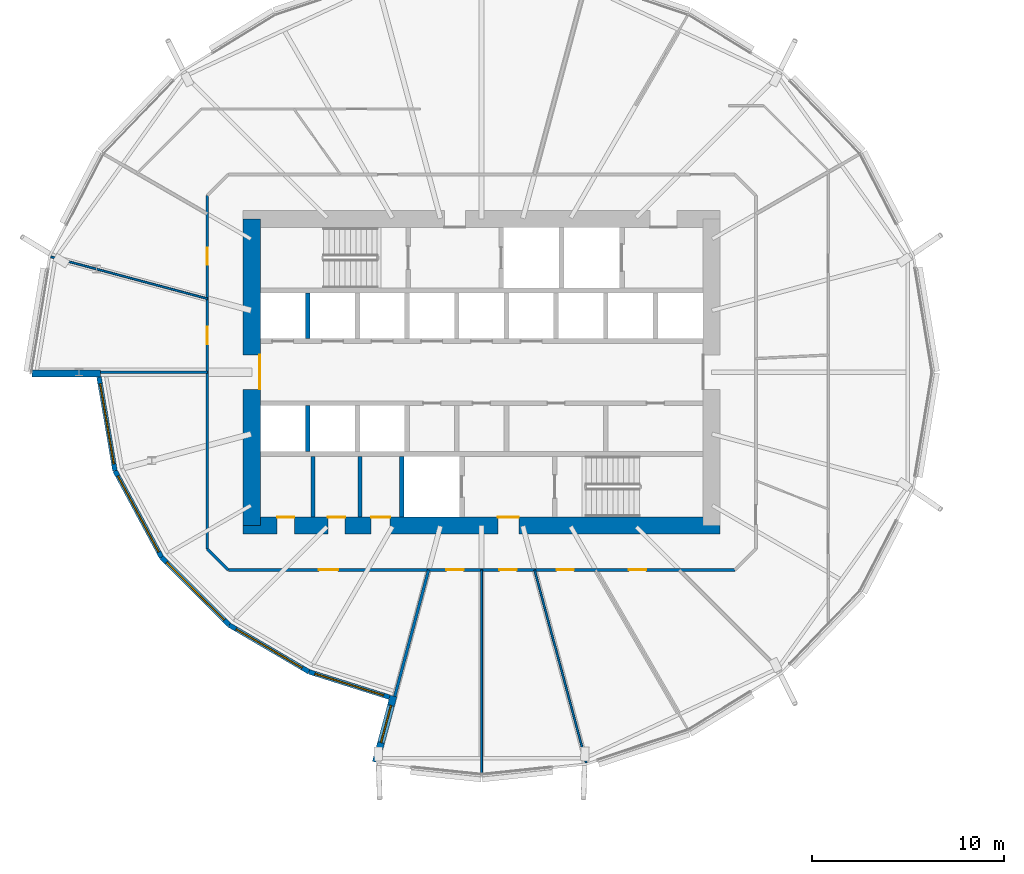
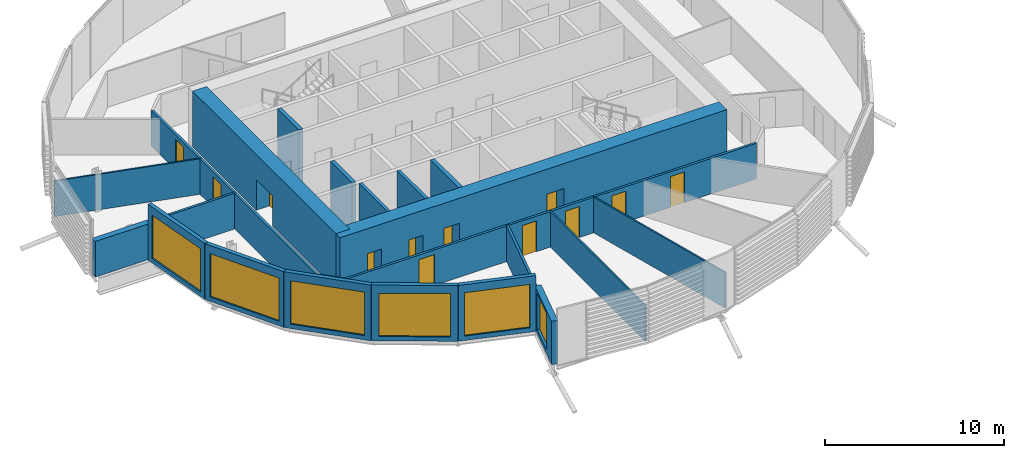
# One storey, part 20 of 38: 22 walls, 12 doors, 6 windows, 18 openings.
"""IFC4 building model written with IfcOpenShell, lengths in metres."""

from ifc_helpers import new_model, si_unit, direction, frame, frame_2d, origin, place, context, subcontext, project, spatial, rectangle, extrude, material, layer, layer_set, type_object, element, fill, save


model = new_model("IFC4")

# Units and contexts
model_context = context("Model", 3, precision=1e-05, world=origin(), true_north=direction((0.0, 1.0)))
body_context = subcontext(model_context, "Body", "Model", "MODEL_VIEW")
ifc_project = project(units=[si_unit("LENGTHUNIT", "METRE"), si_unit("AREAUNIT", "SQUARE_METRE"), si_unit("VOLUMEUNIT", "CUBIC_METRE"), si_unit("PLANEANGLEUNIT", "RADIAN"), si_unit("MASSUNIT", "GRAM", prefix="KILO")], contexts=[model_context])

# Site, building, storey
site_placement = place(None, origin())
site = spatial("IfcSite", under=ifc_project, at=site_placement, CompositionType="ELEMENT")
building_placement = place(site_placement, origin())
building = spatial("IfcBuilding", under=site, at=building_placement, Name="Rimbun Link Towers", CompositionType="ELEMENT")
storey_placement = place(building_placement, frame((0.0, 0.0, 68.0)))
storey = spatial("IfcBuildingStorey", under=building, at=storey_placement, Name="L16", CompositionType="ELEMENT", Elevation=68.0)

# Wall, opening, window
ifc_material_1 = material(Name="Dark enamelled glass spandrel on insulated aluminium backpan", Category="aluminium")
ifc_layer_1 = layer(ifc_material_1, 0.25)
ifc_layer_set_1 = layer_set([ifc_layer_1], Name="CS dark enamelled spandrel wall 250")
wall_type_1 = type_object("IfcWallType", Name="CS dark enamelled spandrel wall 250", PredefinedType="STANDARD", material=ifc_layer_set_1)
wall_1_placement = place(storey_placement, frame((-50.895263671875, -5.13916015625, 0.0), z_axis=(0.0, 0.0, 1.0), x_axis=(-0.168005969371, 0.985785977916, 0.0)))
wall_1 = element("IfcWall", 1, at=wall_1_placement, inside=storey, type_object=wall_type_1, Name="Crease spandrel wall", PredefinedType="STANDARD", context=body_context, shape_type="SweptSolid", body=[
    extrude(rectangle(XDim=4.959716796875, YDim=0.25, at=frame_2d((2.47998046875, 0.0))), origin(), (0.0, 0.0, 1.0), 3.800048828125),
])
opening_1_placement = place(wall_1_placement, frame((0.354736328125, 0.0, 0.300048828125)))
opening_1 = element("IfcOpeningElement", 2, at=opening_1_placement, cuts=wall_1, Name="Opening WR42H295", PredefinedType="OPENING", context=body_context, shape_type="SweptSolid", body=[
    extrude(rectangle(XDim=4.25, YDim=2.949951171875, at=frame_2d((2.125, 1.47509765625))), frame((0.0, 0.135009765625, 0.0), z_axis=(0.0, -1.0, 0.0), x_axis=(1.0, 0.0, 0.0)), (0.0, 0.0, 1.0), 0.27001953125),
])
ifc_material_2 = material(Name="Aluminium framed fixed window, dark tinted low-e glass", Category="aluminium")
window_type_1 = type_object("IfcWindowType", Name="WR ribbon window 4250X2950", PartitioningType="SINGLE_PANEL", PredefinedType="WINDOW", material=ifc_material_2)
window_1_placement = place(opening_1_placement, origin())
window_1 = element("IfcWindow", 3, at=window_1_placement, inside=storey, type_object=window_type_1, Name="Crease ribbon window", OverallHeight=2.949951171875, OverallWidth=4.25, PartitioningType="SINGLE_PANEL", PredefinedType="WINDOW", context=body_context, shape_type="SweptSolid", body=[
    extrude(rectangle(XDim=4.25, YDim=2.949951171875, at=frame_2d((2.125, 1.47509765625))), frame((0.0, 0.030029296875, 0.0), z_axis=(0.0, -1.0, 0.0), x_axis=(1.0, 0.0, 0.0)), (0.0, 0.0, 1.0), 0.06005859375),
])
fill(opening_1, window_1)

wall_2_placement = place(storey_placement, frame((-48.462646484375, -9.665771484375, 0.0), z_axis=(0.0, 0.0, 1.0), x_axis=(-0.47337722528, 0.880859808702, 0.0)))
wall_2 = element("IfcWall", 4, at=wall_2_placement, inside=storey, type_object=wall_type_1, Name="Crease spandrel wall", PredefinedType="STANDARD", context=body_context, shape_type="SweptSolid", body=[
    extrude(rectangle(XDim=5.138916015625, YDim=0.25, at=frame_2d((2.5693359375, 0.0))), origin(), (0.0, 0.0, 1.0), 3.800048828125),
])
opening_2_placement = place(wall_2_placement, frame((0.319580078125, 0.0, 0.300048828125)))
opening_2 = element("IfcOpeningElement", 5, at=opening_2_placement, cuts=wall_2, Name="Opening WR45H295", PredefinedType="OPENING", context=body_context, shape_type="SweptSolid", body=[
    extrude(rectangle(XDim=4.5, YDim=2.949951171875, at=frame_2d((2.25, 1.47509765625))), frame((0.0, 0.135009765625, 0.0), z_axis=(0.0, -1.0, 0.0), x_axis=(1.0, 0.0, 0.0)), (0.0, 0.0, 1.0), 0.27001953125),
])
ifc_material_3 = material(Name="Aluminium framed fixed window, dark tinted low-e glass", Category="aluminium")
window_type_2 = type_object("IfcWindowType", Name="WR ribbon window 4500X2950", PartitioningType="SINGLE_PANEL", PredefinedType="WINDOW", material=ifc_material_3)
window_2_placement = place(opening_2_placement, origin())
window_2 = element("IfcWindow", 6, at=window_2_placement, inside=storey, type_object=window_type_2, Name="Crease ribbon window", OverallHeight=2.949951171875, OverallWidth=4.5, PartitioningType="SINGLE_PANEL", PredefinedType="WINDOW", context=body_context, shape_type="SweptSolid", body=[
    extrude(rectangle(XDim=4.5, YDim=2.949951171875, at=frame_2d((2.25, 1.47509765625))), frame((0.0, 0.030029296875, 0.0), z_axis=(0.0, -1.0, 0.0), x_axis=(1.0, 0.0, 0.0)), (0.0, 0.0, 1.0), 0.06005859375),
])
fill(opening_2, window_2)

wall_3_placement = place(storey_placement, frame((-44.928955078125, -13.20166015625, 0.0), z_axis=(0.0, 0.0, 1.0), x_axis=(-0.706886974242, 0.707326519825, 0.0)))
wall_3 = element("IfcWall", 7, at=wall_3_placement, inside=storey, type_object=wall_type_1, Name="Crease spandrel wall", PredefinedType="STANDARD", context=body_context, shape_type="SweptSolid", body=[
    extrude(rectangle(XDim=4.9990234375, YDim=0.25, at=frame_2d((2.49951171875, 0.0))), origin(), (0.0, 0.0, 1.0), 3.800048828125),
])
opening_3_placement = place(wall_3_placement, frame((0.37451171875, 0.0, 0.300048828125)))
opening_3 = element("IfcOpeningElement", 8, at=opening_3_placement, cuts=wall_3, Name="Opening WR42H295", PredefinedType="OPENING", context=body_context, shape_type="SweptSolid", body=[
    extrude(rectangle(XDim=4.25, YDim=2.949951171875, at=frame_2d((2.125, 1.47509765625))), frame((0.0, 0.135009765625, 0.0), z_axis=(0.0, -1.0, 0.0), x_axis=(1.0, 0.0, 0.0)), (0.0, 0.0, 1.0), 0.27001953125),
])
window_3_placement = place(opening_3_placement, origin())
window_3 = element("IfcWindow", 9, at=window_3_placement, inside=storey, type_object=window_type_1, Name="Crease ribbon window", OverallHeight=2.949951171875, OverallWidth=4.25, PartitioningType="SINGLE_PANEL", PredefinedType="WINDOW", context=body_context, shape_type="SweptSolid", body=[
    extrude(rectangle(XDim=4.25, YDim=2.949951171875, at=frame_2d((2.125, 1.47509765625))), frame((0.0, 0.030029296875, 0.0), z_axis=(0.0, -1.0, 0.0), x_axis=(1.0, 0.0, 0.0)), (0.0, 0.0, 1.0), 0.06005859375),
])
fill(opening_3, window_3)

wall_4_placement = place(storey_placement, frame((-40.76611328125, -15.642822265625, 0.0), z_axis=(0.0, 0.0, 1.0), x_axis=(-0.862618805527, 0.505854520935, 0.0)))
wall_4 = element("IfcWall", 10, at=wall_4_placement, inside=storey, type_object=wall_type_1, Name="Crease spandrel wall", PredefinedType="STANDARD", context=body_context, shape_type="SweptSolid", body=[
    extrude(rectangle(XDim=4.825927734375, YDim=0.25, at=frame_2d((2.4130859375, 0.0))), origin(), (0.0, 0.0, 1.0), 3.800048828125),
])
opening_4_placement = place(wall_4_placement, frame((0.4130859375, 0.0, 0.300048828125)))
opening_4 = element("IfcOpeningElement", 11, at=opening_4_placement, cuts=wall_4, Name="Opening WR40H295", PredefinedType="OPENING", context=body_context, shape_type="SweptSolid", body=[
    extrude(rectangle(XDim=4.0, YDim=2.949951171875, at=frame_2d((2.0, 1.47509765625))), frame((0.0, 0.135009765625, 0.0), z_axis=(0.0, -1.0, 0.0), x_axis=(1.0, 0.0, 0.0)), (0.0, 0.0, 1.0), 0.27001953125),
])
ifc_material_4 = material(Name="Aluminium framed fixed window, dark tinted low-e glass", Category="aluminium")
window_type_3 = type_object("IfcWindowType", Name="WR ribbon window 4000X2950", PartitioningType="SINGLE_PANEL", PredefinedType="WINDOW", material=ifc_material_4)
window_4_placement = place(opening_4_placement, origin())
window_4 = element("IfcWindow", 12, at=window_4_placement, inside=storey, type_object=window_type_3, Name="Crease ribbon window", OverallHeight=2.949951171875, OverallWidth=4.0, PartitioningType="SINGLE_PANEL", PredefinedType="WINDOW", context=body_context, shape_type="SweptSolid", body=[
    extrude(rectangle(XDim=4.0, YDim=2.949951171875, at=frame_2d((2.0, 1.47509765625))), frame((0.0, 0.030029296875, 0.0), z_axis=(0.0, -1.0, 0.0), x_axis=(1.0, 0.0, 0.0)), (0.0, 0.0, 1.0), 0.06005859375),
])
fill(opening_4, window_4)

wall_5_placement = place(storey_placement, frame((-36.555908203125, -16.9697265625, 0.0), z_axis=(0.0, 0.0, 1.0), x_axis=(-0.953753862177, 0.300588706346, 0.0)))
wall_5 = element("IfcWall", 13, at=wall_5_placement, inside=storey, type_object=wall_type_1, Name="Crease spandrel wall", PredefinedType="STANDARD", context=body_context, shape_type="SweptSolid", body=[
    extrude(rectangle(XDim=4.414306640625, YDim=0.25, at=frame_2d((2.20703125, 0.0))), origin(), (0.0, 0.0, 1.0), 3.800048828125),
])
opening_5_placement = place(wall_5_placement, frame((0.332275390625, 0.0, 0.300048828125)))
opening_5 = element("IfcOpeningElement", 14, at=opening_5_placement, cuts=wall_5, Name="Opening WR38H295", PredefinedType="OPENING", context=body_context, shape_type="SweptSolid", body=[
    extrude(rectangle(XDim=3.75, YDim=2.949951171875, at=frame_2d((1.875, 1.47509765625))), frame((0.0, 0.135009765625, 0.0), z_axis=(0.0, -1.0, 0.0), x_axis=(1.0, 0.0, 0.0)), (0.0, 0.0, 1.0), 0.27001953125),
])
ifc_material_5 = material(Name="Aluminium framed fixed window, dark tinted low-e glass", Category="aluminium")
window_type_4 = type_object("IfcWindowType", Name="WR ribbon window 3750X2950", PartitioningType="SINGLE_PANEL", PredefinedType="WINDOW", material=ifc_material_5)
window_5_placement = place(opening_5_placement, origin())
window_5 = element("IfcWindow", 15, at=window_5_placement, inside=storey, type_object=window_type_4, Name="Crease ribbon window", OverallHeight=2.949951171875, OverallWidth=3.75, PartitioningType="SINGLE_PANEL", PredefinedType="WINDOW", context=body_context, shape_type="SweptSolid", body=[
    extrude(rectangle(XDim=3.75, YDim=2.949951171875, at=frame_2d((1.875, 1.47509765625))), frame((0.0, 0.030029296875, 0.0), z_axis=(0.0, -1.0, 0.0), x_axis=(1.0, 0.0, 0.0)), (0.0, 0.0, 1.0), 0.06005859375),
])
fill(opening_5, window_5)

# Wall
ifc_material_6 = material(Name="Dark enamelled glass spandrel on insulated aluminium backpan", Category="aluminium")
ifc_layer_2 = layer(ifc_material_6, 0.3701171875)
ifc_layer_set_2 = layer_set([ifc_layer_2], Name="CS dark enamelled spandrel wall 370")
wall_type_2 = type_object("IfcWallType", Name="CS dark enamelled spandrel wall 370", PredefinedType="STANDARD", material=ifc_layer_set_2)
wall_6_placement = place(storey_placement, frame((-51.644287109375, -0.06494140625, 0.0), z_axis=(0.0, 0.0, 1.0), x_axis=(-1.0, 0.0, 0.0)))
element("IfcWall", 16, at=wall_6_placement, inside=storey, type_object=wall_type_2, Name="Crease spandrel wall", PredefinedType="STANDARD", context=body_context, shape_type="SweptSolid", body=[
    extrude(rectangle(XDim=3.580078125, YDim=0.3701171875, at=frame_2d((1.7900390625, 0.0))), origin(), (0.0, 0.0, 1.0), 2.429931640625),
])

# Wall, opening, window
wall_7_placement = place(storey_placement, frame((-37.274169921875, -20.365234375, 0.0), z_axis=(0.0, 0.0, 1.0), x_axis=(0.258804260405, 0.965929787715, 0.0)))
wall_7 = element("IfcWall", 17, at=wall_7_placement, inside=storey, type_object=wall_type_2, Name="Crease spandrel wall", PredefinedType="STANDARD", context=body_context, shape_type="SweptSolid", body=[
    extrude(rectangle(XDim=3.580078125, YDim=0.3701171875, at=frame_2d((1.7900390625, 0.0))), origin(), (0.0, 0.0, 1.0), 2.9462890625),
])
opening_6_placement = place(wall_7_placement, frame((1.064453125, 0.0, 0.300048828125)))
opening_6 = element("IfcOpeningElement", 18, at=opening_6_placement, cuts=wall_7, Name="Opening WR20H245", PredefinedType="OPENING", context=body_context, shape_type="SweptSolid", body=[
    extrude(rectangle(XDim=2.0, YDim=2.449951171875, at=frame_2d((1.0, 1.22509765625))), frame((0.0, 0.195068359375, 0.0), z_axis=(0.0, -1.0, 0.0), x_axis=(1.0, 0.0, 0.0)), (0.0, 0.0, 1.0), 0.39013671875),
])
ifc_material_7 = material(Name="Aluminium framed fixed window, dark tinted low-e glass", Category="aluminium")
window_type_5 = type_object("IfcWindowType", Name="WR ribbon window 2000X2450", PartitioningType="SINGLE_PANEL", PredefinedType="WINDOW", material=ifc_material_7)
window_6_placement = place(opening_6_placement, origin())
window_6 = element("IfcWindow", 19, at=window_6_placement, inside=storey, type_object=window_type_5, Name="Crease ribbon window", OverallHeight=2.449951171875, OverallWidth=2.0, PartitioningType="SINGLE_PANEL", PredefinedType="WINDOW", context=body_context, shape_type="SweptSolid", body=[
    extrude(rectangle(XDim=2.0, YDim=2.449951171875, at=frame_2d((1.0, 1.22509765625))), frame((0.0, 0.030029296875, 0.0), z_axis=(0.0, -1.0, 0.0), x_axis=(1.0, 0.0, 0.0)), (0.0, 0.0, 1.0), 0.06005859375),
])
fill(opening_6, window_6)

# Walls
ifc_material_8 = material(Name="Masonry blockwork", Category="masonry")
ifc_layer_3 = layer(ifc_material_8, 0.199951171875)
ifc_layer_set_3 = layer_set([ifc_layer_3], Name="Core partition 200")
wall_type_3 = type_object("IfcWallType", Name="Core partition 200", PredefinedType="PARTITIONING", material=ifc_layer_set_3)
for number, where, z_axis, x_axis, name in (
    (20, (-40.550048828125, -4.39990234375, 0.0), (0.0, 0.0, 1.0), (0.0, -1.0, 0.0), "L16 T1 core wall C1"),
    (21, (-38.10009765625, -4.39990234375, 0.0), (0.0, 0.0, 1.0), (0.0, -1.0, 0.0), "L16 T1 core wall C2"),
):
    element("IfcWall", number, at=place(storey_placement, frame(where, z_axis=z_axis, x_axis=x_axis)), inside=storey, type_object=wall_type_3, Name=name, PredefinedType="PARTITIONING", context=body_context, shape_type="SweptSolid", body=[
        extrude(rectangle(XDim=3.150146484375, YDim=0.199951171875, at=frame_2d((1.5751953125, 0.0))), origin(), (0.0, 0.0, 1.0), 3.800048828125),
    ])

# Wall, openings, doors
ifc_material_9 = material(Name="Concrete C60/75", Category="concrete")
ifc_layer_4 = layer(ifc_material_9, 0.89990234375)
ifc_layer_set_4 = layer_set([ifc_layer_4], Name="Core shear wall 900")
wall_type_4 = type_object("IfcWallType", Name="Core shear wall 900", PredefinedType="SHEAR", material=ifc_layer_set_4)
wall_8_placement = place(storey_placement, frame((-44.199951171875, -8.0, 0.0), z_axis=(0.0, 0.0, 1.0), x_axis=(1.0, 0.0, 0.0)))
wall_8 = element("IfcWall", 22, at=wall_8_placement, inside=storey, type_object=wall_type_4, Name="L16 T1 core wall S", PredefinedType="SHEAR", context=body_context, shape_type="SweptSolid", body=[
    extrude(rectangle(XDim=24.89990234375, YDim=0.89990234375, at=frame_2d((12.449951171875, 0.0))), origin(), (0.0, 0.0, 1.0), 3.800048828125),
])
opening_7_placement = place(wall_8_placement, frame((13.300048828125, 0.0, 0.0)))
opening_7 = element("IfcOpeningElement", 23, at=opening_7_placement, cuts=wall_8, Name="Opening C1DCF01S", PredefinedType="OPENING", context=body_context, shape_type="SweptSolid", body=[
    extrude(rectangle(XDim=1.10009765625, YDim=2.10009765625, at=frame_2d((0.550048828125, 1.050048828125))), frame((0.0, 0.4599609375, 0.0), z_axis=(0.0, -1.0, 0.0), x_axis=(1.0, 0.0, 0.0)), (0.0, 0.0, 1.0), 0.919921875),
])
opening_8_placement = place(wall_8_placement, frame((1.77490234375, 0.0, 0.0)))
opening_8 = element("IfcOpeningElement", 24, at=opening_8_placement, cuts=wall_8, Name="Opening C1DWC02S", PredefinedType="OPENING", context=body_context, shape_type="SweptSolid", body=[
    extrude(rectangle(XDim=0.89990234375, YDim=2.10009765625, at=frame_2d((0.449951171875, 1.050048828125))), frame((0.0, 0.4599609375, 0.0), z_axis=(0.0, -1.0, 0.0), x_axis=(1.0, 0.0, 0.0)), (0.0, 0.0, 1.0), 0.919921875),
])
opening_9_placement = place(wall_8_placement, frame((4.425048828125, 0.0, 0.0)))
opening_9 = element("IfcOpeningElement", 25, at=opening_9_placement, cuts=wall_8, Name="Opening C1DWC03S", PredefinedType="OPENING", context=body_context, shape_type="SweptSolid", body=[
    extrude(rectangle(XDim=0.89990234375, YDim=2.10009765625, at=frame_2d((0.449951171875, 1.050048828125))), frame((0.0, 0.4599609375, 0.0), z_axis=(0.0, -1.0, 0.0), x_axis=(1.0, 0.0, 0.0)), (0.0, 0.0, 1.0), 0.919921875),
])
opening_10_placement = place(wall_8_placement, frame((6.675048828125, 0.0, 0.0)))
opening_10 = element("IfcOpeningElement", 26, at=opening_10_placement, cuts=wall_8, Name="Opening C1DAW04S", PredefinedType="OPENING", context=body_context, shape_type="SweptSolid", body=[
    extrude(rectangle(XDim=1.0, YDim=2.10009765625, at=frame_2d((0.5, 1.050048828125))), frame((0.0, 0.4599609375, 0.0), z_axis=(0.0, -1.0, 0.0), x_axis=(1.0, 0.0, 0.0)), (0.0, 0.0, 1.0), 0.919921875),
])
ifc_material_10 = material(Name="Timber", Category="wood")
door_type_1 = type_object("IfcDoorType", Name="Accessible WC door", OperationType="SINGLE_SWING_LEFT", PredefinedType="DOOR", material=ifc_material_10)
door_1_placement = place(opening_10_placement, origin())
door_1 = element("IfcDoor", 27, at=door_1_placement, inside=storey, type_object=door_type_1, Name="L16 T1 accessible wc door", OperationType="SINGLE_SWING_RIGHT", OverallHeight=2.10009765625, OverallWidth=1.0, PredefinedType="DOOR", context=body_context, shape_type="SweptSolid", body=[
    extrude(rectangle(XDim=1.0, YDim=2.10009765625, at=frame_2d((0.5, 1.050048828125))), frame((0.0, 0.4501953125, 0.0), z_axis=(0.0, -1.0, 0.0), x_axis=(1.0, 0.0, 0.0)), (0.0, 0.0, 1.0), 0.050048828125),
])
fill(opening_10, door_1)
ifc_material_11 = material(Name="Steel fire door set", Category="steel")
door_type_2 = type_object("IfcDoorType", Name="Core fire door single", OperationType="SINGLE_SWING_LEFT", PredefinedType="DOOR", material=ifc_material_11)
door_2_placement = place(opening_7_placement, origin())
door_2 = element("IfcDoor", 28, at=door_2_placement, inside=storey, type_object=door_type_2, Name="L16 T1 firefighting lobby s door", OperationType="SINGLE_SWING_RIGHT", OverallHeight=2.10009765625, OverallWidth=1.10009765625, PredefinedType="DOOR", context=body_context, shape_type="SweptSolid", body=[
    extrude(rectangle(XDim=1.10009765625, YDim=2.10009765625, at=frame_2d((0.550048828125, 1.050048828125))), frame((0.0, 0.4501953125, 0.0), z_axis=(0.0, -1.0, 0.0), x_axis=(1.0, 0.0, 0.0)), (0.0, 0.0, 1.0), 0.050048828125),
])
fill(opening_7, door_2)
ifc_material_12 = material(Name="Timber", Category="wood")
door_type_3 = type_object("IfcDoorType", Name="WC door", OperationType="SINGLE_SWING_LEFT", PredefinedType="DOOR", material=ifc_material_12)
door_3_placement = place(opening_8_placement, origin())
door_3 = element("IfcDoor", 29, at=door_3_placement, inside=storey, type_object=door_type_3, Name="L16 T1 male wc door", OperationType="SINGLE_SWING_LEFT", OverallHeight=2.10009765625, OverallWidth=0.89990234375, PredefinedType="DOOR", context=body_context, shape_type="SweptSolid", body=[
    extrude(rectangle(XDim=0.89990234375, YDim=2.10009765625, at=frame_2d((0.449951171875, 1.050048828125))), frame((0.0, 0.4501953125, 0.0), z_axis=(0.0, -1.0, 0.0), x_axis=(1.0, 0.0, 0.0)), (0.0, 0.0, 1.0), 0.050048828125),
])
fill(opening_8, door_3)
door_4_placement = place(opening_9_placement, origin())
door_4 = element("IfcDoor", 30, at=door_4_placement, inside=storey, type_object=door_type_3, Name="L16 T1 female wc door", OperationType="SINGLE_SWING_RIGHT", OverallHeight=2.10009765625, OverallWidth=0.89990234375, PredefinedType="DOOR", context=body_context, shape_type="SweptSolid", body=[
    extrude(rectangle(XDim=0.89990234375, YDim=2.10009765625, at=frame_2d((0.449951171875, 1.050048828125))), frame((0.0, 0.4501953125, 0.0), z_axis=(0.0, -1.0, 0.0), x_axis=(1.0, 0.0, 0.0)), (0.0, 0.0, 1.0), 0.050048828125),
])
fill(opening_9, door_4)

# Wall, opening, door
wall_9_placement = place(storey_placement, frame((-43.75, -8.0, 0.0), z_axis=(0.0, 0.0, 1.0), x_axis=(0.0, 1.0, 0.0)))
wall_9 = element("IfcWall", 31, at=wall_9_placement, inside=storey, type_object=wall_type_4, Name="L16 T1 core wall W", PredefinedType="SHEAR", context=body_context, shape_type="SweptSolid", body=[
    extrude(rectangle(XDim=16.0, YDim=0.89990234375, at=frame_2d((8.0, 0.0))), origin(), (0.0, 0.0, 1.0), 3.800048828125),
])
opening_11_placement = place(wall_9_placement, frame((7.10009765625, 0.0, 0.0)))
opening_11 = element("IfcOpeningElement", 32, at=opening_11_placement, cuts=wall_9, Name="Opening C1DCL01W", PredefinedType="OPENING", context=body_context, shape_type="SweptSolid", body=[
    extrude(rectangle(XDim=1.800048828125, YDim=2.10009765625, at=frame_2d((0.89990234375, 1.050048828125))), frame((0.0, 0.4599609375, 0.0), z_axis=(0.0, -1.0, 0.0), x_axis=(1.0, 0.0, 0.0)), (0.0, 0.0, 1.0), 0.919921875),
])
ifc_material_13 = material(Name="Steel fire door set", Category="steel")
door_type_4 = type_object("IfcDoorType", Name="Core lobby door double", OperationType="DOUBLE_DOOR_SINGLE_SWING", PredefinedType="DOOR", material=ifc_material_13)
door_5_placement = place(opening_11_placement, origin())
door_5 = element("IfcDoor", 33, at=door_5_placement, inside=storey, type_object=door_type_4, Name="L16 T1 lift lobby door", OperationType="DOUBLE_DOOR_SINGLE_SWING", OverallHeight=2.10009765625, OverallWidth=1.800048828125, PredefinedType="DOOR", context=body_context, shape_type="SweptSolid", body=[
    extrude(rectangle(XDim=1.800048828125, YDim=2.10009765625, at=frame_2d((0.89990234375, 1.050048828125))), frame((0.0, -0.39990234375, 0.0), z_axis=(0.0, -1.0, 0.0), x_axis=(1.0, 0.0, 0.0)), (0.0, 0.0, 1.0), 0.050048828125),
])
fill(opening_11, door_5)

# Wall, openings, doors
ifc_material_14 = material(Name="Plasterboard on steel stud, mineral wool", Category="steel")
ifc_layer_5 = layer(ifc_material_14, 0.14990234375)
ifc_layer_set_5 = layer_set([ifc_layer_5], Name="Corridor wall EI 30 150 mm")
wall_type_5 = type_object("IfcWallType", Name="Corridor wall EI 30 150 mm", PredefinedType="PARTITIONING", material=ifc_layer_set_5)
wall_10_placement = place(storey_placement, frame((-18.523193359375, -10.324951171875, 0.0), z_axis=(0.0, 0.0, 1.0), x_axis=(-1.0, 0.0, 0.0)))
wall_10 = element("IfcWall", 34, at=wall_10_placement, inside=storey, type_object=wall_type_5, Name="Corridor wall EI 30 150 mm", PredefinedType="PARTITIONING", context=body_context, shape_type="SweptSolid", body=[
    extrude(rectangle(XDim=26.45361328125, YDim=0.14990234375, at=frame_2d((13.226806640625, 0.0))), origin(), (0.0, 0.0, 1.0), 2.419921875),
])
opening_12_placement = place(wall_10_placement, frame((14.159912109375, 0.0, 0.0)))
opening_12 = element("IfcOpeningElement", 35, at=opening_12_placement, cuts=wall_10, Name="Opening D02", PredefinedType="OPENING", context=body_context, shape_type="SweptSolid", body=[
    extrude(rectangle(XDim=0.89990234375, YDim=2.10009765625, at=frame_2d((0.449951171875, 1.050048828125))), frame((0.0, 0.0849609375, 0.0), z_axis=(0.0, -1.0, 0.0), x_axis=(1.0, 0.0, 0.0)), (0.0, 0.0, 1.0), 0.169921875),
])
opening_13_placement = place(wall_10_placement, frame((11.393310546875, 0.0, 0.0)))
opening_13 = element("IfcOpeningElement", 36, at=opening_13_placement, cuts=wall_10, Name="Opening D02", PredefinedType="OPENING", context=body_context, shape_type="SweptSolid", body=[
    extrude(rectangle(XDim=0.89990234375, YDim=2.10009765625, at=frame_2d((0.449951171875, 1.050048828125))), frame((0.0, 0.0849609375, 0.0), z_axis=(0.0, -1.0, 0.0), x_axis=(1.0, 0.0, 0.0)), (0.0, 0.0, 1.0), 0.169921875),
])
opening_14_placement = place(wall_10_placement, frame((8.412841796875, 0.0, 0.0)))
opening_14 = element("IfcOpeningElement", 37, at=opening_14_placement, cuts=wall_10, Name="Opening D02", PredefinedType="OPENING", context=body_context, shape_type="SweptSolid", body=[
    extrude(rectangle(XDim=0.89990234375, YDim=2.10009765625, at=frame_2d((0.449951171875, 1.050048828125))), frame((0.0, 0.0849609375, 0.0), z_axis=(0.0, -1.0, 0.0), x_axis=(1.0, 0.0, 0.0)), (0.0, 0.0, 1.0), 0.169921875),
])
opening_15_placement = place(wall_10_placement, frame((4.633544921875, 0.0, 0.0)))
opening_15 = element("IfcOpeningElement", 38, at=opening_15_placement, cuts=wall_10, Name="Opening D02", PredefinedType="OPENING", context=body_context, shape_type="SweptSolid", body=[
    extrude(rectangle(XDim=0.89990234375, YDim=2.10009765625, at=frame_2d((0.449951171875, 1.050048828125))), frame((0.0, 0.0849609375, 0.0), z_axis=(0.0, -1.0, 0.0), x_axis=(1.0, 0.0, 0.0)), (0.0, 0.0, 1.0), 0.169921875),
])
opening_16_placement = place(wall_10_placement, frame((20.723388671875, 0.0, 0.0)))
opening_16 = element("IfcOpeningElement", 39, at=opening_16_placement, cuts=wall_10, Name="Opening D01", PredefinedType="OPENING", context=body_context, shape_type="SweptSolid", body=[
    extrude(rectangle(XDim=1.0, YDim=2.10009765625, at=frame_2d((0.5, 1.050048828125))), frame((0.0, 0.0849609375, 0.0), z_axis=(0.0, -1.0, 0.0), x_axis=(1.0, 0.0, 0.0)), (0.0, 0.0, 1.0), 0.169921875),
])
ifc_material_15 = material(Name="Fire-resisting timber door leaf", Category="wood")
door_type_5 = type_object("IfcDoorType", Name="Fire door FD30S 1000", OperationType="NOTDEFINED", PredefinedType="DOOR", material=ifc_material_15)
door_6_placement = place(opening_16_placement, origin())
door_6 = element("IfcDoor", 40, at=door_6_placement, inside=storey, type_object=door_type_5, Name="Fire door FD30S 1000 to Terrace office", OperationType="SINGLE_SWING_RIGHT", OverallHeight=2.10009765625, OverallWidth=1.0, PredefinedType="DOOR", context=body_context, shape_type="SweptSolid", body=[
    extrude(rectangle(XDim=1.0, YDim=2.10009765625, at=frame_2d((0.5, 1.050048828125))), frame((0.0, 0.02490234375, 0.0), z_axis=(0.0, -1.0, 0.0), x_axis=(1.0, 0.0, 0.0)), (0.0, 0.0, 1.0), 0.050048828125),
])
fill(opening_16, door_6)
ifc_material_16 = material(Name="Fire-resisting timber door leaf", Category="wood")
door_type_6 = type_object("IfcDoorType", Name="Fire door FD30S 900", OperationType="NOTDEFINED", PredefinedType="DOOR", material=ifc_material_16)
door_7_placement = place(opening_12_placement, origin())
door_7 = element("IfcDoor", 41, at=door_7_placement, inside=storey, type_object=door_type_6, Name="Fire door FD30S 900 to Cellular office", OperationType="SINGLE_SWING_LEFT", OverallHeight=2.10009765625, OverallWidth=0.89990234375, PredefinedType="DOOR", context=body_context, shape_type="SweptSolid", body=[
    extrude(rectangle(XDim=0.89990234375, YDim=2.10009765625, at=frame_2d((0.449951171875, 1.050048828125))), frame((0.0, 0.02490234375, 0.0), z_axis=(0.0, -1.0, 0.0), x_axis=(1.0, 0.0, 0.0)), (0.0, 0.0, 1.0), 0.050048828125),
])
fill(opening_12, door_7)
door_8_placement = place(opening_13_placement, origin())
door_8 = element("IfcDoor", 42, at=door_8_placement, inside=storey, type_object=door_type_6, Name="Fire door FD30S 900 to Cellular office", OperationType="SINGLE_SWING_RIGHT", OverallHeight=2.10009765625, OverallWidth=0.89990234375, PredefinedType="DOOR", context=body_context, shape_type="SweptSolid", body=[
    extrude(rectangle(XDim=0.89990234375, YDim=2.10009765625, at=frame_2d((0.449951171875, 1.050048828125))), frame((0.0, 0.02490234375, 0.0), z_axis=(0.0, -1.0, 0.0), x_axis=(1.0, 0.0, 0.0)), (0.0, 0.0, 1.0), 0.050048828125),
])
fill(opening_13, door_8)
door_9_placement = place(opening_14_placement, origin())
door_9 = element("IfcDoor", 43, at=door_9_placement, inside=storey, type_object=door_type_6, Name="Fire door FD30S 900 to Cellular office", OperationType="SINGLE_SWING_LEFT", OverallHeight=2.10009765625, OverallWidth=0.89990234375, PredefinedType="DOOR", context=body_context, shape_type="SweptSolid", body=[
    extrude(rectangle(XDim=0.89990234375, YDim=2.10009765625, at=frame_2d((0.449951171875, 1.050048828125))), frame((0.0, 0.02490234375, 0.0), z_axis=(0.0, -1.0, 0.0), x_axis=(1.0, 0.0, 0.0)), (0.0, 0.0, 1.0), 0.050048828125),
])
fill(opening_14, door_9)
door_10_placement = place(opening_15_placement, origin())
door_10 = element("IfcDoor", 44, at=door_10_placement, inside=storey, type_object=door_type_6, Name="Fire door FD30S 900 to Meeting room", OperationType="SINGLE_SWING_RIGHT", OverallHeight=2.10009765625, OverallWidth=0.89990234375, PredefinedType="DOOR", context=body_context, shape_type="SweptSolid", body=[
    extrude(rectangle(XDim=0.89990234375, YDim=2.10009765625, at=frame_2d((0.449951171875, 1.050048828125))), frame((0.0, 0.02490234375, 0.0), z_axis=(0.0, -1.0, 0.0), x_axis=(1.0, 0.0, 0.0)), (0.0, 0.0, 1.0), 0.050048828125),
])
fill(opening_15, door_10)

# Wall
wall_11_placement = place(storey_placement, frame((-46.074951171875, -9.226806640625, 0.0), z_axis=(0.0, 0.0, 1.0), x_axis=(0.707106781187, -0.707106781187, 0.0)))
element("IfcWall", 45, at=wall_11_placement, inside=storey, type_object=wall_type_5, Name="Corridor wall EI 30 150 mm", PredefinedType="PARTITIONING", context=body_context, shape_type="SweptSolid", body=[
    extrude(rectangle(XDim=1.552978515625, YDim=0.14990234375, at=frame_2d((0.7763671875, 0.0))), origin(), (0.0, 0.0, 1.0), 2.419921875),
])

# Wall, openings, doors
wall_12_placement = place(storey_placement, frame((-46.074951171875, -9.226806640625, 0.0), z_axis=(0.0, 0.0, 1.0), x_axis=(0.0, 1.0, 0.0)))
wall_12 = element("IfcWall", 46, at=wall_12_placement, inside=storey, type_object=wall_type_5, Name="Corridor wall EI 30 150 mm", PredefinedType="PARTITIONING", context=body_context, shape_type="SweptSolid", body=[
    extrude(rectangle(XDim=18.45361328125, YDim=0.14990234375, at=frame_2d((9.226806640625, 0.0))), origin(), (0.0, 0.0, 1.0), 2.419921875),
])
opening_17_placement = place(wall_12_placement, frame((14.831298828125, 0.0, 0.0)))
opening_17 = element("IfcOpeningElement", 47, at=opening_17_placement, cuts=wall_12, Name="Opening D02", PredefinedType="OPENING", context=body_context, shape_type="SweptSolid", body=[
    extrude(rectangle(XDim=0.89990234375, YDim=2.10009765625, at=frame_2d((0.449951171875, 1.050048828125))), frame((0.0, 0.0849609375, 0.0), z_axis=(0.0, -1.0, 0.0), x_axis=(1.0, 0.0, 0.0)), (0.0, 0.0, 1.0), 0.169921875),
])
opening_18_placement = place(wall_12_placement, frame((10.69580078125, 0.0, 0.0)))
opening_18 = element("IfcOpeningElement", 48, at=opening_18_placement, cuts=wall_12, Name="Opening D02", PredefinedType="OPENING", context=body_context, shape_type="SweptSolid", body=[
    extrude(rectangle(XDim=0.89990234375, YDim=2.10009765625, at=frame_2d((0.449951171875, 1.050048828125))), frame((0.0, 0.0849609375, 0.0), z_axis=(0.0, -1.0, 0.0), x_axis=(1.0, 0.0, 0.0)), (0.0, 0.0, 1.0), 0.169921875),
])
door_11_placement = place(opening_17_placement, origin())
door_11 = element("IfcDoor", 49, at=door_11_placement, inside=storey, type_object=door_type_6, Name="Fire door FD30S 900 to Meeting room", OperationType="SINGLE_SWING_RIGHT", OverallHeight=2.10009765625, OverallWidth=0.89990234375, PredefinedType="DOOR", context=body_context, shape_type="SweptSolid", body=[
    extrude(rectangle(XDim=0.89990234375, YDim=2.10009765625, at=frame_2d((0.449951171875, 1.050048828125))), frame((0.0, 0.02490234375, 0.0), z_axis=(0.0, -1.0, 0.0), x_axis=(1.0, 0.0, 0.0)), (0.0, 0.0, 1.0), 0.050048828125),
])
fill(opening_17, door_11)
door_12_placement = place(opening_18_placement, origin())
door_12 = element("IfcDoor", 50, at=door_12_placement, inside=storey, type_object=door_type_6, Name="Fire door FD30S 900 to Meeting room", OperationType="SINGLE_SWING_LEFT", OverallHeight=2.10009765625, OverallWidth=0.89990234375, PredefinedType="DOOR", context=body_context, shape_type="SweptSolid", body=[
    extrude(rectangle(XDim=0.89990234375, YDim=2.10009765625, at=frame_2d((0.449951171875, 1.050048828125))), frame((0.0, 0.02490234375, 0.0), z_axis=(0.0, -1.0, 0.0), x_axis=(1.0, 0.0, 0.0)), (0.0, 0.0, 1.0), 0.050048828125),
])
fill(opening_18, door_12)

# Walls
ifc_material_17 = material(Name="Plasterboard on steel stud", Category="steel")
ifc_layer_6 = layer(ifc_material_17, 0.10009765625)
ifc_layer_set_6 = layer_set([ifc_layer_6], Name="Plasterboard partition 100 mm")
wall_type_6 = type_object("IfcWallType", Name="Plasterboard partition 100 mm", PredefinedType="PARTITIONING", material=ifc_layer_set_6)
wall_13_placement = place(storey_placement, frame((-31.75, -20.97705078125, 0.0), z_axis=(0.0, 0.0, 1.0), x_axis=(0.0, 1.0, 0.0)))
element("IfcWall", 51, at=wall_13_placement, inside=storey, type_object=wall_type_6, Name="Plasterboard partition 100 mm", PredefinedType="PARTITIONING", context=body_context, shape_type="SweptSolid", body=[
    extrude(rectangle(XDim=10.652099609375, YDim=0.10009765625, at=frame_2d((5.326171875, 0.0))), origin(), (0.0, 0.0, 1.0), 2.419921875),
])
wall_14_placement = place(storey_placement, frame((-26.283447265625, -20.4013671875, 0.0), z_axis=(0.0, 0.0, 1.0), x_axis=(-0.258817581696, 0.965926218406, 0.0)))
element("IfcWall", 52, at=wall_14_placement, inside=storey, type_object=wall_type_6, Name="Plasterboard partition 100 mm", PredefinedType="PARTITIONING", context=body_context, shape_type="SweptSolid", body=[
    extrude(rectangle(XDim=10.431884765625, YDim=0.10009765625, at=frame_2d((5.2158203125, 0.0))), origin(), (0.0, 0.0, 1.0), 2.419921875),
])
wall_15_placement = place(storey_placement, frame((-54.252685546875, 6.029541015625, 0.0), z_axis=(0.0, 0.0, 1.0), x_axis=(0.965927456645, -0.258812960455, 0.0)))
element("IfcWall", 53, at=wall_15_placement, inside=storey, type_object=wall_type_6, Name="Plasterboard partition 100 mm", PredefinedType="PARTITIONING", context=body_context, shape_type="SweptSolid", body=[
    extrude(rectangle(XDim=8.46630859375, YDim=0.10009765625, at=frame_2d((4.233154296875, 0.0))), origin(), (0.0, 0.0, 1.0), 2.419921875),
])
ifc_material_18 = material(Name="Concrete C60/75", Category="concrete")
ifc_layer_7 = layer(ifc_material_18, 0.25)
ifc_layer_set_7 = layer_set([ifc_layer_7], Name="Shaft wall 250")
wall_type_7 = type_object("IfcWallType", Name="Shaft wall 250", PredefinedType="SHEAR", material=ifc_layer_set_7)
for number, where, z_axis, x_axis, name in (
    (54, (-40.83056640625, 1.75, 0.0), (0.0, 0.0, 1.0), (0.0, 1.0, 0.0), "L16 T1 core wall DN0"),
    (55, (-40.83056640625, -4.14990234375, 0.0), (0.0, 0.0, 1.0), (0.0, 1.0, 0.0), "L16 T1 core wall DS0"),
):
    element("IfcWall", number, at=place(storey_placement, frame(where, z_axis=z_axis, x_axis=x_axis)), inside=storey, type_object=wall_type_7, Name=name, PredefinedType="SHEAR", context=body_context, shape_type="SweptSolid", body=[
        extrude(rectangle(XDim=2.39990234375, YDim=0.25, at=frame_2d((1.199951171875, 0.0))), origin(), (0.0, 0.0, 1.0), 3.800048828125),
    ])
wall_16_placement = place(storey_placement, frame((-35.925048828125, -4.39990234375, 0.0), z_axis=(0.0, 0.0, 1.0), x_axis=(0.0, -1.0, 0.0)))
element("IfcWall", 56, at=wall_16_placement, inside=storey, type_object=wall_type_7, Name="L16 T1 core wall B3", PredefinedType="SHEAR", context=body_context, shape_type="SweptSolid", body=[
    extrude(rectangle(XDim=3.150146484375, YDim=0.25, at=frame_2d((1.5751953125, 0.0))), origin(), (0.0, 0.0, 1.0), 3.800048828125),
])
ifc_material_19 = material(Name="Plasterboard on steel stud, mineral wool", Category="steel")
ifc_layer_8 = layer(ifc_material_19, 0.14990234375)
ifc_layer_set_8 = layer_set([ifc_layer_8], Name="Tenancy separation wall EI 60 150 mm")
wall_type_8 = type_object("IfcWallType", Name="Tenancy separation wall EI 60 150 mm", PredefinedType="PARTITIONING", material=ifc_layer_set_8)
wall_17_placement = place(storey_placement, frame((-46.074951171875, 0.0, 0.0), z_axis=(0.0, 0.0, 1.0), x_axis=(-1.0, 0.0, 0.0)))
element("IfcWall", 57, at=wall_17_placement, inside=storey, type_object=wall_type_8, Name="Tenancy separation wall EI 60 150 mm", PredefinedType="PARTITIONING", context=body_context, shape_type="SweptSolid", body=[
    extrude(rectangle(XDim=5.5693359375, YDim=0.14990234375, at=frame_2d((2.78466796875, 0.0))), origin(), (0.0, 0.0, 1.0), 2.419921875),
])
wall_18_placement = place(storey_placement, frame((-34.5166015625, -10.324951171875, 0.0), z_axis=(0.0, 0.0, 1.0), x_axis=(-0.25883015873, -0.965922848333, 0.0)))
element("IfcWall", 58, at=wall_18_placement, inside=storey, type_object=wall_type_8, Name="Tenancy separation wall EI 60 150 mm", PredefinedType="PARTITIONING", context=body_context, shape_type="SweptSolid", body=[
    extrude(rectangle(XDim=6.83203125, YDim=0.14990234375, at=frame_2d((3.416015625, 0.0))), origin(), (0.0, 0.0, 1.0), 2.419921875),
])

save(model, "model.ifc")
